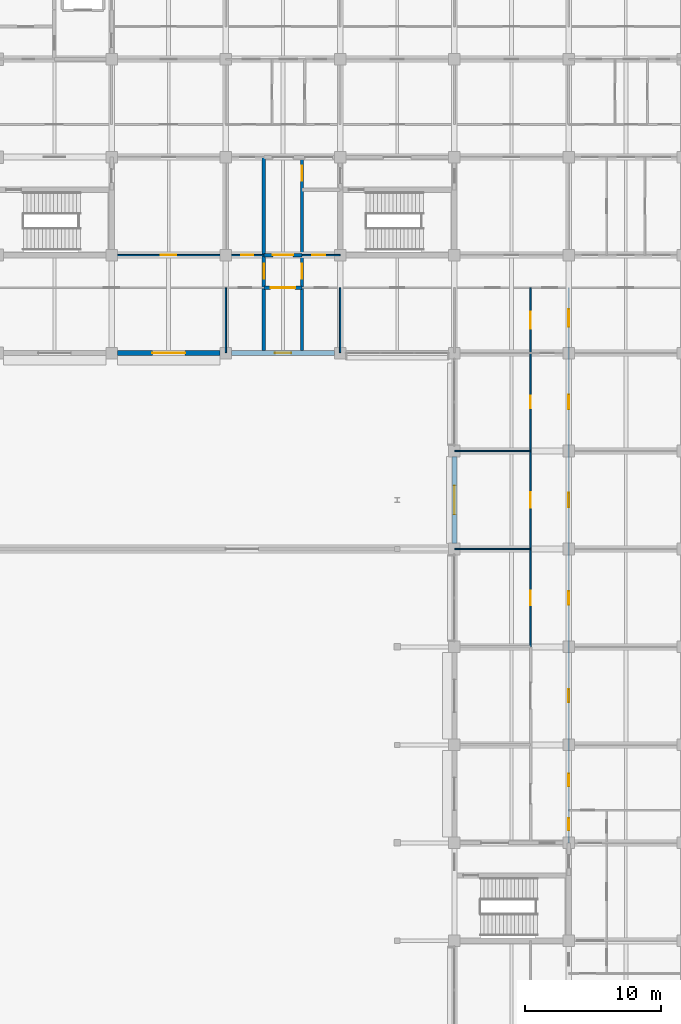
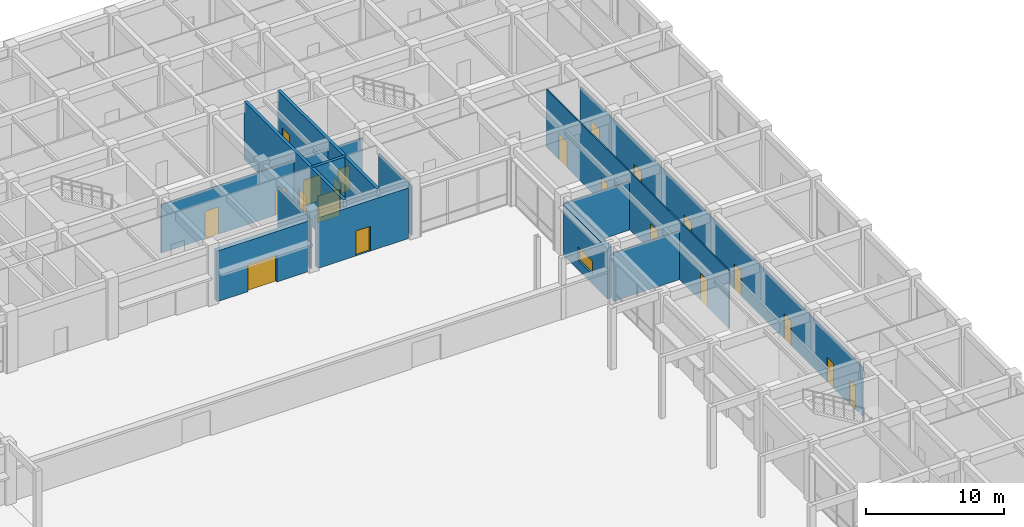
# One storey, part 56 of 73: 21 doors, 15 walls, 1 window, 22 openings.
"""IFC4 building model written with IfcOpenShell, lengths in metres."""

from ifc_helpers import new_model, si_unit, direction, frame, frame_2d, origin, place, context, subcontext, project, spatial, rectangle, extrude, material, layer, layer_set, type_object, element, fill, save


model = new_model("IFC4")

# Units and contexts
model_context = context("Model", 3, precision=1e-05, world=origin(), true_north=direction((0.0, 1.0)))
body_context = subcontext(model_context, "Body", "Model", "MODEL_VIEW")
ifc_project = project(units=[si_unit("LENGTHUNIT", "METRE"), si_unit("AREAUNIT", "SQUARE_METRE"), si_unit("VOLUMEUNIT", "CUBIC_METRE"), si_unit("PLANEANGLEUNIT", "RADIAN"), si_unit("MASSUNIT", "GRAM", prefix="KILO")], contexts=[model_context])

# Site, building, storey
site_placement = place(None, origin())
site = spatial("IfcSite", under=ifc_project, at=site_placement, CompositionType="ELEMENT")
building_placement = place(site_placement, origin())
building = spatial("IfcBuilding", under=site, at=building_placement, Name="Chengyuan Square Courthouse", CompositionType="ELEMENT")
storey_placement = place(building_placement, origin())
storey = spatial("IfcBuildingStorey", under=building, at=storey_placement, Name="L01", CompositionType="ELEMENT", Elevation=0.0)

# Wall, opening, door
ifc_material_1 = material(Name="Concrete C40", Category="concrete")
ifc_layer_1 = layer(ifc_material_1, 0.3798828125)
ifc_layer_set_1 = layer_set([ifc_layer_1], Name="Concrete C40")
wall_type_1 = type_object("IfcWallType", Name="WL-EW1", PredefinedType="STANDARD", material=ifc_layer_set_1)
wall_1_placement = place(storey_placement, frame((126.419921875, 79.199951171875, 0.0), z_axis=(0.0, 0.0, 1.0), x_axis=(1.0, 0.0, 0.0)))
wall_1 = element("IfcWall", 1, at=wall_1_placement, inside=storey, type_object=wall_type_1, Name="Exterior Wall WL-L01-E185", PredefinedType="STANDARD", context=body_context, shape_type="SweptSolid", body=[
    extrude(rectangle(XDim=7.56005859375, YDim=0.3798828125, at=frame_2d((3.780029296875, 0.0))), origin(), (0.0, 0.0, 1.0), 4.469970703125),
])
opening_1_placement = place(wall_1_placement, frame((2.580078125, 0.0, 0.0)))
opening_1 = element("IfcOpeningElement", 2, at=opening_1_placement, cuts=wall_1, Name="Opening E-16", PredefinedType="OPENING", context=body_context, shape_type="SweptSolid", body=[
    extrude(rectangle(XDim=2.39990234375, YDim=2.39990234375, at=frame_2d((1.199951171875, 1.199951171875))), frame((0.0, 0.201904296875, 0.0), z_axis=(0.0, -1.0, 0.0), x_axis=(1.0, 0.0, 0.0)), (0.0, 0.0, 1.0), 0.40380859375),
])
ifc_material_2 = material(Name="Glazed Bronze Civic Entrance Door")
door_type_1 = type_object("IfcDoorType", Name="DT-01", OperationType="DOUBLE_DOOR_SINGLE_SWING", PredefinedType="DOOR", material=ifc_material_2)
door_1_placement = place(opening_1_placement, frame((2.39990234375, 0.0, 0.0), z_axis=(0.0, 0.0, 1.0), x_axis=(-1.0, 0.0, 0.0)))
door_1 = element("IfcDoor", 3, at=door_1_placement, inside=storey, type_object=door_type_1, Name="Main Pedestrian Entrance Exit Door E-16", OperationType="DOUBLE_DOOR_SINGLE_SWING", OverallHeight=2.39990234375, OverallWidth=2.39990234375, PredefinedType="DOOR", context=body_context, shape_type="SweptSolid", body=[
    extrude(rectangle(XDim=2.39990234375, YDim=2.39990234375, at=frame_2d((1.199951171875, 1.199951171875))), frame((0.0, 0.02490234375, 0.0), z_axis=(0.0, -1.0, 0.0), x_axis=(1.0, 0.0, 0.0)), (0.0, 0.0, 1.0), 0.050048828125),
])
fill(opening_1, door_1)

wall_2_placement = place(storey_placement, frame((134.820068359375, 79.199951171875, 0.0), z_axis=(0.0, 0.0, 1.0), x_axis=(1.0, 0.0, 0.0)))
wall_2 = element("IfcWall", 4, at=wall_2_placement, inside=storey, type_object=wall_type_1, Name="Exterior Wall WL-L01-E187", PredefinedType="STANDARD", context=body_context, shape_type="SweptSolid", body=[
    extrude(rectangle(XDim=7.559814453125, YDim=0.3798828125, at=frame_2d((3.77978515625, 0.0))), origin(), (0.0, 0.0, 1.0), 4.469970703125),
])
opening_2_placement = place(wall_2_placement, frame((3.179931640625, 0.0, 0.0)))
opening_2 = element("IfcOpeningElement", 5, at=opening_2_placement, cuts=wall_2, Name="Opening E-28", PredefinedType="OPENING", context=body_context, shape_type="SweptSolid", body=[
    extrude(rectangle(XDim=1.199951171875, YDim=2.199951171875, at=frame_2d((0.60009765625, 1.10009765625))), frame((0.0, 0.201904296875, 0.0), z_axis=(0.0, -1.0, 0.0), x_axis=(1.0, 0.0, 0.0)), (0.0, 0.0, 1.0), 0.40380859375),
])
ifc_material_3 = material(Name="Steel Q235B Fire Exit Door", Category="steel")
door_type_2 = type_object("IfcDoorType", Name="DT-03", OperationType="NOTDEFINED", PredefinedType="DOOR", material=ifc_material_3)
door_2_placement = place(opening_2_placement, frame((1.199951171875, 0.0, 0.0), z_axis=(0.0, 0.0, 1.0), x_axis=(-1.0, 0.0, 0.0)))
door_2 = element("IfcDoor", 6, at=door_2_placement, inside=storey, type_object=door_type_2, Name="Protected Stair Exit Discharge Door E-28", OperationType="SINGLE_SWING_RIGHT", OverallHeight=2.199951171875, OverallWidth=1.199951171875, PredefinedType="DOOR", context=body_context, shape_type="SweptSolid", body=[
    extrude(rectangle(XDim=1.199951171875, YDim=2.199951171875, at=frame_2d((0.60009765625, 1.10009765625))), frame((0.0, 0.02490234375, 0.0), z_axis=(0.0, -1.0, 0.0), x_axis=(1.0, 0.0, 0.0)), (0.0, 0.0, 1.0), 0.050048828125),
])
fill(opening_2, door_2)

# Wall, opening, window
wall_3_placement = place(storey_placement, frame((151.199951171875, 65.219970703125, 0.0), z_axis=(0.0, 0.0, 1.0), x_axis=(0.0, 1.0, 0.0)))
wall_3 = element("IfcWall", 7, at=wall_3_placement, inside=storey, type_object=wall_type_1, Name="Exterior Wall WL-L01-E195", PredefinedType="STANDARD", context=body_context, shape_type="SweptSolid", body=[
    extrude(rectangle(XDim=6.360107421875, YDim=0.3798828125, at=frame_2d((3.18017578125, 0.0))), origin(), (0.0, 0.0, 1.0), 4.469970703125),
])
opening_3_placement = place(wall_3_placement, frame((2.1298828125, 0.0, 0.85009765625)))
opening_3 = element("IfcOpeningElement", 8, at=opening_3_placement, cuts=wall_3, Name="Opening WN-011", PredefinedType="OPENING", context=body_context, shape_type="SweptSolid", body=[
    extrude(rectangle(XDim=2.10009765625, YDim=1.199951171875, at=frame_2d((1.050048828125, 0.60009765625))), frame((0.0, 0.201904296875, 0.0), z_axis=(0.0, -1.0, 0.0), x_axis=(1.0, 0.0, 0.0)), (0.0, 0.0, 1.0), 0.40380859375),
])
ifc_material_4 = material(Name="Thermally Broken Aluminium Triple Low-E Window", Category="aluminium")
window_type = type_object("IfcWindowType", Name="WT-37", PartitioningType="SINGLE_PANEL", PredefinedType="WINDOW", material=ifc_material_4)
window_placement = place(opening_3_placement, origin())
window = element("IfcWindow", 9, at=window_placement, inside=storey, type_object=window_type, Name="Facade Window WN-011", OverallHeight=1.199951171875, OverallWidth=2.10009765625, PartitioningType="SINGLE_PANEL", PredefinedType="WINDOW", context=body_context, shape_type="SweptSolid", body=[
    extrude(rectangle(XDim=2.10009765625, YDim=1.199951171875, at=frame_2d((1.050048828125, 0.60009765625))), frame((0.0, 0.030029296875, 0.0), z_axis=(0.0, -1.0, 0.0), x_axis=(1.0, 0.0, 0.0)), (0.0, 0.0, 1.0), 0.06005859375),
])
fill(opening_3, window)

# Wall, opening, door
ifc_layer_2 = layer(ifc_material_1, 0.25)
ifc_layer_set_2 = layer_set([ifc_layer_2], Name="Concrete C40")
wall_type_2 = type_object("IfcWallType", Name="WL-FW1", PredefinedType="STANDARD", material=ifc_layer_set_2)
wall_4_placement = place(storey_placement, frame((137.199951171875, 84.0, 0.0), z_axis=(0.0, 0.0, 1.0), x_axis=(1.0, 0.0, 0.0)))
wall_4 = element("IfcWall", 10, at=wall_4_placement, inside=storey, type_object=wall_type_2, Name="Interior Wall WL-L01-I678", PredefinedType="STANDARD", context=body_context, shape_type="SweptSolid", body=[
    extrude(rectangle(XDim=2.800048828125, YDim=0.25, at=frame_2d((1.39990234375, 0.0))), origin(), (0.0, 0.0, 1.0), 5.1201171875),
])
opening_4_placement = place(wall_4_placement, frame((0.5, 0.0, 0.0)))
opening_4 = element("IfcOpeningElement", 11, at=opening_4_placement, cuts=wall_4, Name="Opening DR-936", PredefinedType="OPENING", context=body_context, shape_type="SweptSolid", body=[
    extrude(rectangle(XDim=1.800048828125, YDim=2.35009765625, at=frame_2d((0.89990234375, 1.175048828125))), frame((0.0, 0.136962890625, 0.0), z_axis=(0.0, -1.0, 0.0), x_axis=(1.0, 0.0, 0.0)), (0.0, 0.0, 1.0), 0.27392578125),
])
ifc_material_5 = material(Name="Steel Q235B Glazed Fire Door", Category="steel")
door_type_3 = type_object("IfcDoorType", Name="DT-18", OperationType="DOUBLE_DOOR_SINGLE_SWING", PredefinedType="DOOR", material=ifc_material_5)
door_3_placement = place(opening_4_placement, frame((1.800048828125, 0.0, 0.0), z_axis=(0.0, 0.0, 1.0), x_axis=(-1.0, 0.0, 0.0)))
door_3 = element("IfcDoor", 12, at=door_3_placement, inside=storey, type_object=door_type_3, Name="Interior Door DR-936", OperationType="DOUBLE_DOOR_SINGLE_SWING", OverallHeight=2.35009765625, OverallWidth=1.800048828125, PredefinedType="DOOR", context=body_context, shape_type="SweptSolid", body=[
    extrude(rectangle(XDim=1.800048828125, YDim=2.35009765625, at=frame_2d((0.89990234375, 1.175048828125))), frame((0.0, 0.02490234375, 0.0), z_axis=(0.0, -1.0, 0.0), x_axis=(1.0, 0.0, 0.0)), (0.0, 0.0, 1.0), 0.050048828125),
])
fill(opening_4, door_3)

wall_5_placement = place(storey_placement, frame((137.199951171875, 86.39990234375, 0.0), z_axis=(0.0, 0.0, 1.0), x_axis=(1.0, 0.0, 0.0)))
wall_5 = element("IfcWall", 13, at=wall_5_placement, inside=storey, type_object=wall_type_2, Name="Interior Wall WL-L01-I700", PredefinedType="STANDARD", context=body_context, shape_type="SweptSolid", body=[
    extrude(rectangle(XDim=2.800048828125, YDim=0.25, at=frame_2d((1.39990234375, 0.0))), origin(), (0.0, 0.0, 1.0), 4.27001953125),
])
opening_5_placement = place(wall_5_placement, frame((0.64990234375, 0.0, 0.0)))
opening_5 = element("IfcOpeningElement", 14, at=opening_5_placement, cuts=wall_5, Name="Opening DR-885", PredefinedType="OPENING", context=body_context, shape_type="SweptSolid", body=[
    extrude(rectangle(XDim=1.5, YDim=2.25, at=frame_2d((0.75, 1.125))), frame((0.0, 0.136962890625, 0.0), z_axis=(0.0, -1.0, 0.0), x_axis=(1.0, 0.0, 0.0)), (0.0, 0.0, 1.0), 0.27392578125),
])
door_type_4 = type_object("IfcDoorType", Name="DT-19", OperationType="DOUBLE_DOOR_SINGLE_SWING", PredefinedType="DOOR", material=ifc_material_5)
door_4_placement = place(opening_5_placement, frame((1.5, 0.0, 0.0), z_axis=(0.0, 0.0, 1.0), x_axis=(-1.0, 0.0, 0.0)))
door_4 = element("IfcDoor", 15, at=door_4_placement, inside=storey, type_object=door_type_4, Name="Interior Door DR-885", OperationType="DOUBLE_DOOR_SINGLE_SWING", OverallHeight=2.25, OverallWidth=1.5, PredefinedType="DOOR", context=body_context, shape_type="SweptSolid", body=[
    extrude(rectangle(XDim=1.5, YDim=2.25, at=frame_2d((0.75, 1.125))), frame((0.0, 0.02490234375, 0.0), z_axis=(0.0, -1.0, 0.0), x_axis=(1.0, 0.0, 0.0)), (0.0, 0.0, 1.0), 0.050048828125),
])
fill(opening_5, door_4)

wall_6_placement = place(storey_placement, frame((137.199951171875, 79.239990234375, 0.0), z_axis=(0.0, 0.0, 1.0), x_axis=(0.0, 1.0, 0.0)))
wall_6 = element("IfcWall", 16, at=wall_6_placement, inside=storey, type_object=wall_type_2, Name="Interior Wall WL-L01-I979", PredefinedType="STANDARD", context=body_context, shape_type="SweptSolid", body=[
    extrude(rectangle(XDim=14.360107421875, YDim=0.25, at=frame_2d((7.18017578125, 0.0))), origin(), (0.0, 0.0, 1.0), 5.1201171875),
])
opening_6_placement = place(wall_6_placement, frame((5.409912109375, 0.0, 0.0)))
opening_6 = element("IfcOpeningElement", 17, at=opening_6_placement, cuts=wall_6, Name="Opening DR-932", PredefinedType="OPENING", context=body_context, shape_type="SweptSolid", body=[
    extrude(rectangle(XDim=1.10009765625, YDim=2.199951171875, at=frame_2d((0.550048828125, 1.10009765625))), frame((0.0, 0.136962890625, 0.0), z_axis=(0.0, -1.0, 0.0), x_axis=(1.0, 0.0, 0.0)), (0.0, 0.0, 1.0), 0.27392578125),
])
ifc_material_6 = material(Name="Steel Q235B Fire Door", Category="steel")
door_type_5 = type_object("IfcDoorType", Name="DT-10", OperationType="NOTDEFINED", PredefinedType="DOOR", material=ifc_material_6)
door_5_placement = place(opening_6_placement, origin())
door_5 = element("IfcDoor", 18, at=door_5_placement, inside=storey, type_object=door_type_5, Name="Interior Door DR-932", OperationType="SINGLE_SWING_LEFT", OverallHeight=2.199951171875, OverallWidth=1.10009765625, PredefinedType="DOOR", context=body_context, shape_type="SweptSolid", body=[
    extrude(rectangle(XDim=1.10009765625, YDim=2.199951171875, at=frame_2d((0.550048828125, 1.10009765625))), frame((0.0, 0.02490234375, 0.0), z_axis=(0.0, -1.0, 0.0), x_axis=(1.0, 0.0, 0.0)), (0.0, 0.0, 1.0), 0.050048828125),
])
fill(opening_6, door_5)

# Wall, openings, doors
wall_7_placement = place(storey_placement, frame((140.0, 79.239990234375, 0.0), z_axis=(0.0, 0.0, 1.0), x_axis=(0.0, 1.0, 0.0)))
wall_7 = element("IfcWall", 19, at=wall_7_placement, inside=storey, type_object=wall_type_2, Name="Interior Wall WL-L01-I981", PredefinedType="STANDARD", context=body_context, shape_type="SweptSolid", body=[
    extrude(rectangle(XDim=14.360107421875, YDim=0.25, at=frame_2d((7.18017578125, 0.0))), origin(), (0.0, 0.0, 1.0), 5.1201171875),
])
opening_7_placement = place(wall_7_placement, frame((12.610107421875, 0.0, 0.0)))
opening_7 = element("IfcOpeningElement", 20, at=opening_7_placement, cuts=wall_7, Name="Opening DR-884", PredefinedType="OPENING", context=body_context, shape_type="SweptSolid", body=[
    extrude(rectangle(XDim=1.10009765625, YDim=2.199951171875, at=frame_2d((0.550048828125, 1.10009765625))), frame((0.0, 0.136962890625, 0.0), z_axis=(0.0, -1.0, 0.0), x_axis=(1.0, 0.0, 0.0)), (0.0, 0.0, 1.0), 0.27392578125),
])
opening_8_placement = place(wall_7_placement, frame((5.409912109375, 0.0, 0.0)))
opening_8 = element("IfcOpeningElement", 21, at=opening_8_placement, cuts=wall_7, Name="Opening DR-935", PredefinedType="OPENING", context=body_context, shape_type="SweptSolid", body=[
    extrude(rectangle(XDim=1.10009765625, YDim=2.199951171875, at=frame_2d((0.550048828125, 1.10009765625))), frame((0.0, 0.136962890625, 0.0), z_axis=(0.0, -1.0, 0.0), x_axis=(1.0, 0.0, 0.0)), (0.0, 0.0, 1.0), 0.27392578125),
])
door_6_placement = place(opening_7_placement, origin())
door_6 = element("IfcDoor", 22, at=door_6_placement, inside=storey, type_object=door_type_5, Name="Interior Door DR-884", OperationType="SINGLE_SWING_LEFT", OverallHeight=2.199951171875, OverallWidth=1.10009765625, PredefinedType="DOOR", context=body_context, shape_type="SweptSolid", body=[
    extrude(rectangle(XDim=1.10009765625, YDim=2.199951171875, at=frame_2d((0.550048828125, 1.10009765625))), frame((0.0, 0.02490234375, 0.0), z_axis=(0.0, -1.0, 0.0), x_axis=(1.0, 0.0, 0.0)), (0.0, 0.0, 1.0), 0.050048828125),
])
fill(opening_7, door_6)
door_7_placement = place(opening_8_placement, origin())
door_7 = element("IfcDoor", 23, at=door_7_placement, inside=storey, type_object=door_type_5, Name="Interior Door DR-935", OperationType="SINGLE_SWING_RIGHT", OverallHeight=2.199951171875, OverallWidth=1.10009765625, PredefinedType="DOOR", context=body_context, shape_type="SweptSolid", body=[
    extrude(rectangle(XDim=1.10009765625, YDim=2.199951171875, at=frame_2d((0.550048828125, 1.10009765625))), frame((0.0, 0.02490234375, 0.0), z_axis=(0.0, -1.0, 0.0), x_axis=(1.0, 0.0, 0.0)), (0.0, 0.0, 1.0), 0.050048828125),
])
fill(opening_8, door_7)

# Walls
ifc_material_7 = material(Name="Gypsum Plasterboard Acoustic Stud Partition")
ifc_layer_3 = layer(ifc_material_7, 0.10009765625)
ifc_layer_set_3 = layer_set([ifc_layer_3], Name="Gypsum Plasterboard Acoustic Stud Partition")
wall_type_3 = type_object("IfcWallType", Name="WL-PT6", PredefinedType="STANDARD", material=ifc_layer_set_3)
for number, where, z_axis, x_axis, name in (
    (24, (151.239990234375, 64.800048828125, 0.0), (0.0, 0.0, 1.0), (1.0, 0.0, 0.0), "Interior Wall WL-L01-I662"),
    (25, (151.239990234375, 72.0, 0.0), (0.0, 0.0, 1.0), (1.0, 0.0, 0.0), "Interior Wall WL-L01-I665"),
):
    element("IfcWall", number, at=place(storey_placement, frame(where, z_axis=z_axis, x_axis=x_axis)), inside=storey, type_object=wall_type_3, Name=name, PredefinedType="STANDARD", context=body_context, shape_type="SweptSolid", body=[
        extrude(rectangle(XDim=5.56005859375, YDim=0.10009765625, at=frame_2d((2.780029296875, 0.0))), origin(), (0.0, 0.0, 1.0), 4.27001953125),
    ])

# Wall, openings, doors
wall_8_placement = place(storey_placement, frame((126.0, 86.39990234375, 0.0), z_axis=(0.0, 0.0, 1.0), x_axis=(1.0, 0.0, 0.0)))
wall_8 = element("IfcWall", 26, at=wall_8_placement, inside=storey, type_object=wall_type_3, Name="Interior Wall WL-L01-I699", PredefinedType="STANDARD", context=body_context, shape_type="SweptSolid", body=[
    extrude(rectangle(XDim=11.199951171875, YDim=0.10009765625, at=frame_2d((5.60009765625, 0.0))), origin(), (0.0, 0.0, 1.0), 4.27001953125),
])
opening_9_placement = place(wall_8_placement, frame((3.6298828125, 0.0, 0.0)))
opening_9 = element("IfcOpeningElement", 27, at=opening_9_placement, cuts=wall_8, Name="Opening DR-882", PredefinedType="OPENING", context=body_context, shape_type="SweptSolid", body=[
    extrude(rectangle(XDim=1.139892578125, YDim=2.39990234375, at=frame_2d((0.56982421875, 1.199951171875))), frame((0.0, 0.06201171875, 0.0), z_axis=(0.0, -1.0, 0.0), x_axis=(1.0, 0.0, 0.0)), (0.0, 0.0, 1.0), 0.1240234375),
])
opening_10_placement = place(wall_8_placement, frame((9.5224609375, 0.0, 0.0)))
opening_10 = element("IfcOpeningElement", 28, at=opening_10_placement, cuts=wall_8, Name="Opening DR-883", PredefinedType="OPENING", context=body_context, shape_type="SweptSolid", body=[
    extrude(rectangle(XDim=0.89990234375, YDim=2.14990234375, at=frame_2d((0.449951171875, 1.074951171875))), frame((0.0, 0.06201171875, 0.0), z_axis=(0.0, -1.0, 0.0), x_axis=(1.0, 0.0, 0.0)), (0.0, 0.0, 1.0), 0.1240234375),
])
ifc_material_8 = material(Name="Acoustic Solid-Core Timber Door", Category="wood")
door_type_6 = type_object("IfcDoorType", Name="DT-27", OperationType="NOTDEFINED", PredefinedType="DOOR", material=ifc_material_8)
door_8_placement = place(opening_10_placement, origin())
door_8 = element("IfcDoor", 29, at=door_8_placement, inside=storey, type_object=door_type_6, Name="Interior Door DR-883", OperationType="SINGLE_SWING_RIGHT", OverallHeight=2.14990234375, OverallWidth=0.89990234375, PredefinedType="DOOR", context=body_context, shape_type="SweptSolid", body=[
    extrude(rectangle(XDim=0.89990234375, YDim=2.14990234375, at=frame_2d((0.449951171875, 1.074951171875))), frame((0.0, 0.02490234375, 0.0), z_axis=(0.0, -1.0, 0.0), x_axis=(1.0, 0.0, 0.0)), (0.0, 0.0, 1.0), 0.050048828125),
])
fill(opening_10, door_8)
door_type_7 = type_object("IfcDoorType", Name="DT-43", OperationType="NOTDEFINED", PredefinedType="DOOR", material=ifc_material_8)
door_9_placement = place(opening_9_placement, origin())
door_9 = element("IfcDoor", 30, at=door_9_placement, inside=storey, type_object=door_type_7, Name="Interior Door DR-882", OperationType="SINGLE_SWING_LEFT", OverallHeight=2.39990234375, OverallWidth=1.139892578125, PredefinedType="DOOR", context=body_context, shape_type="SweptSolid", body=[
    extrude(rectangle(XDim=1.139892578125, YDim=2.39990234375, at=frame_2d((0.56982421875, 1.199951171875))), frame((0.0, 0.02490234375, 0.0), z_axis=(0.0, -1.0, 0.0), x_axis=(1.0, 0.0, 0.0)), (0.0, 0.0, 1.0), 0.050048828125),
])
fill(opening_9, door_9)

# Wall, opening, door
wall_9_placement = place(storey_placement, frame((140.0, 86.39990234375, 0.0), z_axis=(0.0, 0.0, 1.0), x_axis=(1.0, 0.0, 0.0)))
wall_9 = element("IfcWall", 31, at=wall_9_placement, inside=storey, type_object=wall_type_3, Name="Interior Wall WL-L01-I701", PredefinedType="STANDARD", context=body_context, shape_type="SweptSolid", body=[
    extrude(rectangle(XDim=2.800048828125, YDim=0.10009765625, at=frame_2d((1.39990234375, 0.0))), origin(), (0.0, 0.0, 1.0), 4.27001953125),
])
opening_11_placement = place(wall_9_placement, frame((0.74755859375, 0.0, 0.0)))
opening_11 = element("IfcOpeningElement", 32, at=opening_11_placement, cuts=wall_9, Name="Opening DR-886", PredefinedType="OPENING", context=body_context, shape_type="SweptSolid", body=[
    extrude(rectangle(XDim=0.9599609375, YDim=2.199951171875, at=frame_2d((0.47998046875, 1.10009765625))), frame((0.0, 0.06201171875, 0.0), z_axis=(0.0, -1.0, 0.0), x_axis=(1.0, 0.0, 0.0)), (0.0, 0.0, 1.0), 0.1240234375),
])
door_type_8 = type_object("IfcDoorType", Name="DT-30", OperationType="NOTDEFINED", PredefinedType="DOOR", material=ifc_material_8)
door_10_placement = place(opening_11_placement, origin())
door_10 = element("IfcDoor", 33, at=door_10_placement, inside=storey, type_object=door_type_8, Name="Interior Door DR-886", OperationType="SINGLE_SWING_RIGHT", OverallHeight=2.199951171875, OverallWidth=0.9599609375, PredefinedType="DOOR", context=body_context, shape_type="SweptSolid", body=[
    extrude(rectangle(XDim=0.9599609375, YDim=2.199951171875, at=frame_2d((0.47998046875, 1.10009765625))), frame((0.0, 0.02490234375, 0.0), z_axis=(0.0, -1.0, 0.0), x_axis=(1.0, 0.0, 0.0)), (0.0, 0.0, 1.0), 0.050048828125),
])
fill(opening_11, door_10)

# Walls
for number, where, z_axis, x_axis, name in (
    (34, (134.39990234375, 79.239990234375, 0.0), (0.0, 0.0, 1.0), (0.0, 1.0, 0.0), "Interior Wall WL-L01-I975"),
    (35, (142.800048828125, 79.239990234375, 0.0), (0.0, 0.0, 1.0), (0.0, 1.0, 0.0), "Interior Wall WL-L01-I983"),
):
    element("IfcWall", number, at=place(storey_placement, frame(where, z_axis=z_axis, x_axis=x_axis)), inside=storey, type_object=wall_type_3, Name=name, PredefinedType="STANDARD", context=body_context, shape_type="SweptSolid", body=[
        extrude(rectangle(XDim=4.760009765625, YDim=0.10009765625, at=frame_2d((2.3798828125, 0.0))), origin(), (0.0, 0.0, 1.0), 4.3701171875),
    ])

# Wall, openings, doors
wall_10_placement = place(storey_placement, frame((156.800048828125, 57.60009765625, 0.0), z_axis=(0.0, 0.0, 1.0), x_axis=(0.0, 1.0, 0.0)))
wall_10 = element("IfcWall", 36, at=wall_10_placement, inside=storey, type_object=wall_type_3, Name="Interior Wall WL-L01-I999", PredefinedType="STANDARD", context=body_context, shape_type="SweptSolid", body=[
    extrude(rectangle(XDim=26.39990234375, YDim=0.10009765625, at=frame_2d((13.199951171875, 0.0))), origin(), (0.0, 0.0, 1.0), 5.1201171875),
])
opening_12_placement = place(wall_10_placement, frame((23.3798828125, 0.0, 0.0)))
opening_12 = element("IfcOpeningElement", 37, at=opening_12_placement, cuts=wall_10, Name="Opening DR-944", PredefinedType="OPENING", context=body_context, shape_type="SweptSolid", body=[
    extrude(rectangle(XDim=1.239990234375, YDim=2.300048828125, at=frame_2d((0.6201171875, 1.14990234375))), frame((0.0, 0.06201171875, 0.0), z_axis=(0.0, -1.0, 0.0), x_axis=(1.0, 0.0, 0.0)), (0.0, 0.0, 1.0), 0.1240234375),
])
opening_13_placement = place(wall_10_placement, frame((3.070068359375, 0.0, 0.0)))
opening_13 = element("IfcOpeningElement", 38, at=opening_13_placement, cuts=wall_10, Name="Opening DR-983", PredefinedType="OPENING", context=body_context, shape_type="SweptSolid", body=[
    extrude(rectangle(XDim=1.06005859375, YDim=2.39990234375, at=frame_2d((0.530029296875, 1.199951171875))), frame((0.0, 0.06201171875, 0.0), z_axis=(0.0, -1.0, 0.0), x_axis=(1.0, 0.0, 0.0)), (0.0, 0.0, 1.0), 0.1240234375),
])
opening_14_placement = place(wall_10_placement, frame((10.22998046875, 0.0, 0.0)))
opening_14 = element("IfcOpeningElement", 39, at=opening_14_placement, cuts=wall_10, Name="Opening DR-984", PredefinedType="OPENING", context=body_context, shape_type="SweptSolid", body=[
    extrude(rectangle(XDim=1.139892578125, YDim=2.39990234375, at=frame_2d((0.56982421875, 1.199951171875))), frame((0.0, 0.06201171875, 0.0), z_axis=(0.0, -1.0, 0.0), x_axis=(1.0, 0.0, 0.0)), (0.0, 0.0, 1.0), 0.1240234375),
])
opening_15_placement = place(wall_10_placement, frame((17.550048828125, 0.0, 0.0)))
opening_15 = element("IfcOpeningElement", 40, at=opening_15_placement, cuts=wall_10, Name="Opening DR-985", PredefinedType="OPENING", context=body_context, shape_type="SweptSolid", body=[
    extrude(rectangle(XDim=0.89990234375, YDim=2.14990234375, at=frame_2d((0.449951171875, 1.074951171875))), frame((0.0, 0.06201171875, 0.0), z_axis=(0.0, -1.0, 0.0), x_axis=(1.0, 0.0, 0.0)), (0.0, 0.0, 1.0), 0.1240234375),
])
door_11_placement = place(opening_15_placement, origin())
door_11 = element("IfcDoor", 41, at=door_11_placement, inside=storey, type_object=door_type_6, Name="Interior Door DR-985", OperationType="SINGLE_SWING_LEFT", OverallHeight=2.14990234375, OverallWidth=0.89990234375, PredefinedType="DOOR", context=body_context, shape_type="SweptSolid", body=[
    extrude(rectangle(XDim=0.89990234375, YDim=2.14990234375, at=frame_2d((0.449951171875, 1.074951171875))), frame((0.0, 0.02490234375, 0.0), z_axis=(0.0, -1.0, 0.0), x_axis=(1.0, 0.0, 0.0)), (0.0, 0.0, 1.0), 0.050048828125),
])
fill(opening_15, door_11)
door_type_9 = type_object("IfcDoorType", Name="DT-37", OperationType="NOTDEFINED", PredefinedType="DOOR", material=ifc_material_8)
door_12_placement = place(opening_12_placement, origin())
door_12 = element("IfcDoor", 42, at=door_12_placement, inside=storey, type_object=door_type_9, Name="Interior Door DR-944", OperationType="SINGLE_SWING_RIGHT", OverallHeight=2.300048828125, OverallWidth=1.239990234375, PredefinedType="DOOR", context=body_context, shape_type="SweptSolid", body=[
    extrude(rectangle(XDim=1.239990234375, YDim=2.300048828125, at=frame_2d((0.6201171875, 1.14990234375))), frame((0.0, 0.02490234375, 0.0), z_axis=(0.0, -1.0, 0.0), x_axis=(1.0, 0.0, 0.0)), (0.0, 0.0, 1.0), 0.050048828125),
])
fill(opening_12, door_12)
door_type_10 = type_object("IfcDoorType", Name="DT-42", OperationType="NOTDEFINED", PredefinedType="DOOR", material=ifc_material_8)
door_13_placement = place(opening_13_placement, origin())
door_13 = element("IfcDoor", 43, at=door_13_placement, inside=storey, type_object=door_type_10, Name="Interior Door DR-983", OperationType="SINGLE_SWING_LEFT", OverallHeight=2.39990234375, OverallWidth=1.06005859375, PredefinedType="DOOR", context=body_context, shape_type="SweptSolid", body=[
    extrude(rectangle(XDim=1.06005859375, YDim=2.39990234375, at=frame_2d((0.530029296875, 1.199951171875))), frame((0.0, 0.02490234375, 0.0), z_axis=(0.0, -1.0, 0.0), x_axis=(1.0, 0.0, 0.0)), (0.0, 0.0, 1.0), 0.050048828125),
])
fill(opening_13, door_13)
door_14_placement = place(opening_14_placement, origin())
door_14 = element("IfcDoor", 44, at=door_14_placement, inside=storey, type_object=door_type_7, Name="Interior Door DR-984", OperationType="SINGLE_SWING_RIGHT", OverallHeight=2.39990234375, OverallWidth=1.139892578125, PredefinedType="DOOR", context=body_context, shape_type="SweptSolid", body=[
    extrude(rectangle(XDim=1.139892578125, YDim=2.39990234375, at=frame_2d((0.56982421875, 1.199951171875))), frame((0.0, 0.02490234375, 0.0), z_axis=(0.0, -1.0, 0.0), x_axis=(1.0, 0.0, 0.0)), (0.0, 0.0, 1.0), 0.050048828125),
])
fill(opening_14, door_14)

wall_11_placement = place(storey_placement, frame((159.60009765625, 43.199951171875, 0.0), z_axis=(0.0, 0.0, 1.0), x_axis=(0.0, 1.0, 0.0)))
wall_11 = element("IfcWall", 45, at=wall_11_placement, inside=storey, type_object=wall_type_3, Name="Interior Wall WL-L01-I1003", PredefinedType="STANDARD", context=body_context, shape_type="SweptSolid", body=[
    extrude(rectangle(XDim=40.800048828125, YDim=0.10009765625, at=frame_2d((20.39990234375, 0.0))), origin(), (0.0, 0.0, 1.0), 4.3701171875),
])
opening_16_placement = place(wall_11_placement, frame((37.9326171875, 0.0, 0.0)))
opening_16 = element("IfcOpeningElement", 46, at=opening_16_placement, cuts=wall_11, Name="Opening DR-945", PredefinedType="OPENING", context=body_context, shape_type="SweptSolid", body=[
    extrude(rectangle(XDim=1.280029296875, YDim=2.35009765625, at=frame_2d((0.64013671875, 1.175048828125))), frame((0.0, 0.06201171875, 0.0), z_axis=(0.0, -1.0, 0.0), x_axis=(1.0, 0.0, 0.0)), (0.0, 0.0, 1.0), 0.1240234375),
])
opening_17_placement = place(wall_11_placement, frame((0.9423828125, 0.0, 0.0)))
opening_17 = element("IfcOpeningElement", 47, at=opening_17_placement, cuts=wall_11, Name="Opening DR-986", PredefinedType="OPENING", context=body_context, shape_type="SweptSolid", body=[
    extrude(rectangle(XDim=0.860107421875, YDim=2.10009765625, at=frame_2d((0.43017578125, 1.050048828125))), frame((0.0, 0.06201171875, 0.0), z_axis=(0.0, -1.0, 0.0), x_axis=(1.0, 0.0, 0.0)), (0.0, 0.0, 1.0), 0.1240234375),
])
opening_18_placement = place(wall_11_placement, frame((4.16748046875, 0.0, 0.0)))
opening_18 = element("IfcOpeningElement", 48, at=opening_18_placement, cuts=wall_11, Name="Opening DR-987", PredefinedType="OPENING", context=body_context, shape_type="SweptSolid", body=[
    extrude(rectangle(XDim=0.919921875, YDim=2.14990234375, at=frame_2d((0.4599609375, 1.074951171875))), frame((0.0, 0.06201171875, 0.0), z_axis=(0.0, -1.0, 0.0), x_axis=(1.0, 0.0, 0.0)), (0.0, 0.0, 1.0), 0.1240234375),
])
opening_19_placement = place(wall_11_placement, frame((10.320068359375, 0.0, 0.0)))
opening_19 = element("IfcOpeningElement", 49, at=opening_19_placement, cuts=wall_11, Name="Opening DR-988", PredefinedType="OPENING", context=body_context, shape_type="SweptSolid", body=[
    extrude(rectangle(XDim=0.9599609375, YDim=2.199951171875, at=frame_2d((0.47998046875, 1.10009765625))), frame((0.0, 0.06201171875, 0.0), z_axis=(0.0, -1.0, 0.0), x_axis=(1.0, 0.0, 0.0)), (0.0, 0.0, 1.0), 0.1240234375),
])
opening_20_placement = place(wall_11_placement, frame((17.5, 0.0, 0.0)))
opening_20 = element("IfcOpeningElement", 50, at=opening_20_placement, cuts=wall_11, Name="Opening DR-989", PredefinedType="OPENING", context=body_context, shape_type="SweptSolid", body=[
    extrude(rectangle(XDim=1.0, YDim=2.25, at=frame_2d((0.5, 1.125))), frame((0.0, 0.06201171875, 0.0), z_axis=(0.0, -1.0, 0.0), x_axis=(1.0, 0.0, 0.0)), (0.0, 0.0, 1.0), 0.1240234375),
])
opening_21_placement = place(wall_11_placement, frame((24.679931640625, 0.0, 0.0)))
opening_21 = element("IfcOpeningElement", 51, at=opening_21_placement, cuts=wall_11, Name="Opening DR-990", PredefinedType="OPENING", context=body_context, shape_type="SweptSolid", body=[
    extrude(rectangle(XDim=1.0400390625, YDim=2.199951171875, at=frame_2d((0.52001953125, 1.10009765625))), frame((0.0, 0.06201171875, 0.0), z_axis=(0.0, -1.0, 0.0), x_axis=(1.0, 0.0, 0.0)), (0.0, 0.0, 1.0), 0.1240234375),
])
opening_22_placement = place(wall_11_placement, frame((31.860107421875, 0.0, 0.0)))
opening_22 = element("IfcOpeningElement", 52, at=opening_22_placement, cuts=wall_11, Name="Opening DR-991", PredefinedType="OPENING", context=body_context, shape_type="SweptSolid", body=[
    extrude(rectangle(XDim=1.080078125, YDim=2.25, at=frame_2d((0.5400390625, 1.125))), frame((0.0, 0.06201171875, 0.0), z_axis=(0.0, -1.0, 0.0), x_axis=(1.0, 0.0, 0.0)), (0.0, 0.0, 1.0), 0.1240234375),
])
door_type_11 = type_object("IfcDoorType", Name="DT-28", OperationType="NOTDEFINED", PredefinedType="DOOR", material=ifc_material_8)
door_15_placement = place(opening_17_placement, origin())
door_15 = element("IfcDoor", 53, at=door_15_placement, inside=storey, type_object=door_type_11, Name="Interior Door DR-986", OperationType="SINGLE_SWING_RIGHT", OverallHeight=2.10009765625, OverallWidth=0.860107421875, PredefinedType="DOOR", context=body_context, shape_type="SweptSolid", body=[
    extrude(rectangle(XDim=0.860107421875, YDim=2.10009765625, at=frame_2d((0.43017578125, 1.050048828125))), frame((0.0, 0.02490234375, 0.0), z_axis=(0.0, -1.0, 0.0), x_axis=(1.0, 0.0, 0.0)), (0.0, 0.0, 1.0), 0.050048828125),
])
fill(opening_17, door_15)
door_type_12 = type_object("IfcDoorType", Name="DT-29", OperationType="NOTDEFINED", PredefinedType="DOOR", material=ifc_material_8)
door_16_placement = place(opening_18_placement, origin())
door_16 = element("IfcDoor", 54, at=door_16_placement, inside=storey, type_object=door_type_12, Name="Interior Door DR-987", OperationType="SINGLE_SWING_LEFT", OverallHeight=2.14990234375, OverallWidth=0.919921875, PredefinedType="DOOR", context=body_context, shape_type="SweptSolid", body=[
    extrude(rectangle(XDim=0.919921875, YDim=2.14990234375, at=frame_2d((0.4599609375, 1.074951171875))), frame((0.0, 0.02490234375, 0.0), z_axis=(0.0, -1.0, 0.0), x_axis=(1.0, 0.0, 0.0)), (0.0, 0.0, 1.0), 0.050048828125),
])
fill(opening_18, door_16)
door_17_placement = place(opening_19_placement, origin())
door_17 = element("IfcDoor", 55, at=door_17_placement, inside=storey, type_object=door_type_8, Name="Interior Door DR-988", OperationType="SINGLE_SWING_RIGHT", OverallHeight=2.199951171875, OverallWidth=0.9599609375, PredefinedType="DOOR", context=body_context, shape_type="SweptSolid", body=[
    extrude(rectangle(XDim=0.9599609375, YDim=2.199951171875, at=frame_2d((0.47998046875, 1.10009765625))), frame((0.0, 0.02490234375, 0.0), z_axis=(0.0, -1.0, 0.0), x_axis=(1.0, 0.0, 0.0)), (0.0, 0.0, 1.0), 0.050048828125),
])
fill(opening_19, door_17)
door_type_13 = type_object("IfcDoorType", Name="DT-31", OperationType="NOTDEFINED", PredefinedType="DOOR", material=ifc_material_8)
door_18_placement = place(opening_20_placement, origin())
door_18 = element("IfcDoor", 56, at=door_18_placement, inside=storey, type_object=door_type_13, Name="Interior Door DR-989", OperationType="SINGLE_SWING_LEFT", OverallHeight=2.25, OverallWidth=1.0, PredefinedType="DOOR", context=body_context, shape_type="SweptSolid", body=[
    extrude(rectangle(XDim=1.0, YDim=2.25, at=frame_2d((0.5, 1.125))), frame((0.0, 0.02490234375, 0.0), z_axis=(0.0, -1.0, 0.0), x_axis=(1.0, 0.0, 0.0)), (0.0, 0.0, 1.0), 0.050048828125),
])
fill(opening_20, door_18)
door_type_14 = type_object("IfcDoorType", Name="DT-32", OperationType="NOTDEFINED", PredefinedType="DOOR", material=ifc_material_8)
door_19_placement = place(opening_21_placement, origin())
door_19 = element("IfcDoor", 57, at=door_19_placement, inside=storey, type_object=door_type_14, Name="Interior Door DR-990", OperationType="SINGLE_SWING_RIGHT", OverallHeight=2.199951171875, OverallWidth=1.0400390625, PredefinedType="DOOR", context=body_context, shape_type="SweptSolid", body=[
    extrude(rectangle(XDim=1.0400390625, YDim=2.199951171875, at=frame_2d((0.52001953125, 1.10009765625))), frame((0.0, 0.02490234375, 0.0), z_axis=(0.0, -1.0, 0.0), x_axis=(1.0, 0.0, 0.0)), (0.0, 0.0, 1.0), 0.050048828125),
])
fill(opening_21, door_19)
door_type_15 = type_object("IfcDoorType", Name="DT-33", OperationType="NOTDEFINED", PredefinedType="DOOR", material=ifc_material_8)
door_20_placement = place(opening_22_placement, origin())
door_20 = element("IfcDoor", 58, at=door_20_placement, inside=storey, type_object=door_type_15, Name="Interior Door DR-991", OperationType="SINGLE_SWING_LEFT", OverallHeight=2.25, OverallWidth=1.080078125, PredefinedType="DOOR", context=body_context, shape_type="SweptSolid", body=[
    extrude(rectangle(XDim=1.080078125, YDim=2.25, at=frame_2d((0.5400390625, 1.125))), frame((0.0, 0.02490234375, 0.0), z_axis=(0.0, -1.0, 0.0), x_axis=(1.0, 0.0, 0.0)), (0.0, 0.0, 1.0), 0.050048828125),
])
fill(opening_22, door_20)
door_type_16 = type_object("IfcDoorType", Name="DT-38", OperationType="NOTDEFINED", PredefinedType="DOOR", material=ifc_material_8)
door_21_placement = place(opening_16_placement, origin())
door_21 = element("IfcDoor", 59, at=door_21_placement, inside=storey, type_object=door_type_16, Name="Interior Door DR-945", OperationType="SINGLE_SWING_LEFT", OverallHeight=2.35009765625, OverallWidth=1.280029296875, PredefinedType="DOOR", context=body_context, shape_type="SweptSolid", body=[
    extrude(rectangle(XDim=1.280029296875, YDim=2.35009765625, at=frame_2d((0.64013671875, 1.175048828125))), frame((0.0, 0.02490234375, 0.0), z_axis=(0.0, -1.0, 0.0), x_axis=(1.0, 0.0, 0.0)), (0.0, 0.0, 1.0), 0.050048828125),
])
fill(opening_16, door_21)

save(model, "model.ifc")
